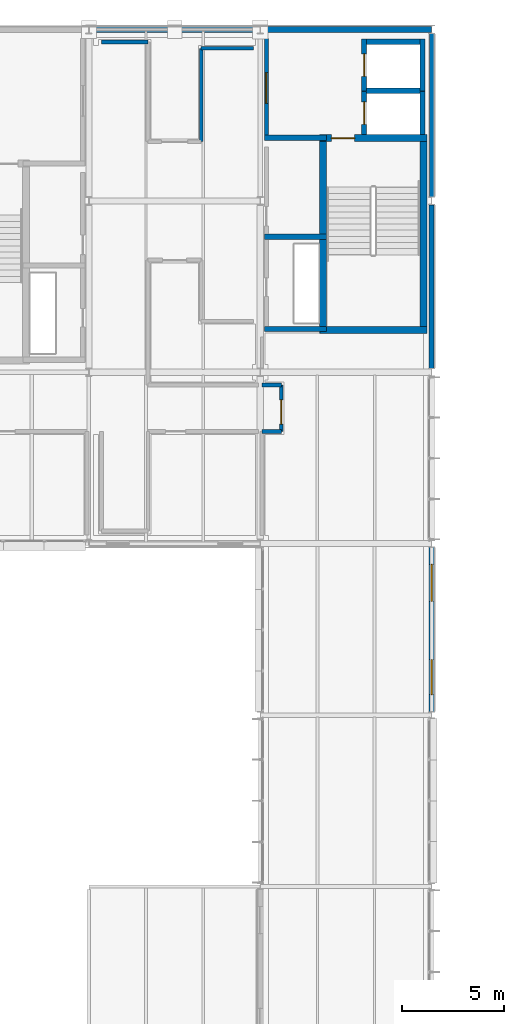
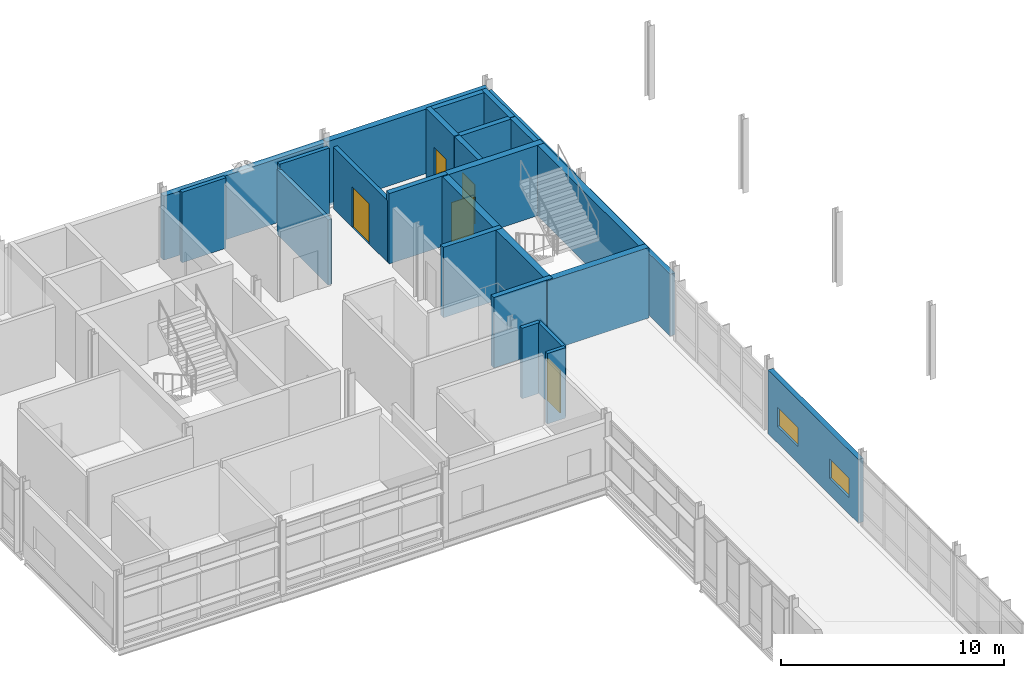
# One storey, part 56 of 66: 25 walls, 5 doors, 2 windows, 7 openings.
"""IFC4 building model written with IfcOpenShell, lengths in metres."""

from ifc_helpers import new_model, si_unit, direction, frame, frame_2d, origin, place, context, subcontext, project, spatial, rectangle, extrude, material, layer, layer_set, type_object, element, fill, save


model = new_model("IFC4")

# Units and contexts
model_context = context("Model", 3, precision=1e-05, world=origin(), true_north=direction((0.0, 1.0)))
body_context = subcontext(model_context, "Body", "Model", "MODEL_VIEW")
ifc_project = project(units=[si_unit("LENGTHUNIT", "METRE"), si_unit("AREAUNIT", "SQUARE_METRE"), si_unit("VOLUMEUNIT", "CUBIC_METRE"), si_unit("PLANEANGLEUNIT", "RADIAN"), si_unit("MASSUNIT", "GRAM", prefix="KILO")], contexts=[model_context])

# Site, building, storey
site_placement = place(None, origin())
site = spatial("IfcSite", under=ifc_project, at=site_placement, CompositionType="ELEMENT")
building_placement = place(site_placement, origin())
building = spatial("IfcBuilding", under=site, at=building_placement, Name="Mersafa Astral City Hall", CompositionType="ELEMENT")
storey_placement = place(building_placement, frame((0.0, 0.0, 22.050048828125)))
storey = spatial("IfcBuildingStorey", under=building, at=storey_placement, Name="L05", CompositionType="ELEMENT", Elevation=22.050048828125)

# Walls
ifc_material_1 = material(Name="Precast concrete C40/50 insulated terracotta spandrel", Category="masonry")
ifc_layer_1 = layer(ifc_material_1, 0.235107421875, Name="Precast concrete C40/50 insulated terracotta spandrel")
ifc_layer_set_1 = layer_set([ifc_layer_1], Name="Precast concrete C40/50 insulated terracotta spandrel — ENV-WAL-EXT-235")
wall_type_1 = type_object("IfcWallType", Name="ENV-WAL-EXT-235", PredefinedType="STANDARD", material=ifc_layer_set_1)
wall_1_placement = place(storey_placement, frame((176.39990234375, 117.7958984375, 0.0), z_axis=(0.0, 0.0, 1.0), x_axis=(0.0, 1.0, 0.0)))
element("IfcWall", 1, at=wall_1_placement, inside=storey, type_object=wall_type_1, Name="L05 Limestone-clad exterior wall 341", PredefinedType="STANDARD", context=body_context, shape_type="SweptSolid", body=[
    extrude(rectangle(XDim=8.008056640625, YDim=0.235107421875, at=frame_2d((4.00390625, 0.0))), origin(), (0.0, 0.0, 1.0), 3.45703125),
])
ifc_layer_2 = layer(ifc_material_1, 0.25, Name="Precast concrete C40/50 insulated terracotta spandrel")
ifc_layer_set_2 = layer_set([ifc_layer_2], Name="Precast concrete C40/50 insulated terracotta spandrel — ENV-WAL-EXT-250")
wall_type_2 = type_object("IfcWallType", Name="ENV-WAL-EXT-250", PredefinedType="STANDARD", material=ifc_layer_set_2)
wall_2_placement = place(storey_placement, frame((176.39990234375, 109.39599609375, 0.0), z_axis=(0.0, 0.0, 1.0), x_axis=(0.0, 1.0, 0.0)))
element("IfcWall", 2, at=wall_2_placement, inside=storey, type_object=wall_type_2, Name="L05 Limestone-clad exterior wall 340", PredefinedType="STANDARD", context=body_context, shape_type="SweptSolid", body=[
    extrude(rectangle(XDim=8.008056640625, YDim=0.25, at=frame_2d((4.00390625, 0.0))), origin(), (0.0, 0.0, 1.0), 3.366943359375),
])

# Wall, openings, windows
ifc_material_2 = material(Name="Precast concrete C40/50 insulated limestone wall", Category="masonry")
ifc_layer_3 = layer(ifc_material_2, 0.264892578125, Name="Precast concrete C40/50 insulated limestone wall")
ifc_layer_set_3 = layer_set([ifc_layer_3], Name="Precast concrete C40/50 insulated limestone wall — ENV-WAL-EXT-265")
wall_type_3 = type_object("IfcWallType", Name="ENV-WAL-EXT-265", PredefinedType="STANDARD", material=ifc_layer_set_3)
wall_3_placement = place(storey_placement, frame((176.39990234375, 92.5458984375, 0.0), z_axis=(0.0, 0.0, 1.0), x_axis=(0.0, 1.0, 0.0)))
wall_3 = element("IfcWall", 3, at=wall_3_placement, inside=storey, type_object=wall_type_3, Name="L05 Limestone-clad exterior wall 339", PredefinedType="STANDARD", context=body_context, shape_type="SweptSolid", body=[
    extrude(rectangle(XDim=8.088134765625, YDim=0.264892578125, at=frame_2d((4.0439453125, 0.0))), origin(), (0.0, 0.0, 1.0), 3.471923828125),
])
opening_1_placement = place(wall_3_placement, frame((0.85009765625, 0.0, 0.89990234375)))
opening_1 = element("IfcOpeningElement", 4, at=opening_1_placement, cuts=wall_3, Name="Opening W-08", PredefinedType="OPENING", context=body_context, shape_type="SweptSolid", body=[
    extrude(rectangle(XDim=1.719970703125, YDim=1.050048828125, at=frame_2d((0.85986328125, 0.52490234375))), frame((0.0, 0.142333984375, 0.0), z_axis=(0.0, -1.0, 0.0), x_axis=(1.0, 0.0, 0.0)), (0.0, 0.0, 1.0), 0.284912109375),
])
opening_2_placement = place(wall_3_placement, frame((5.41796875, 0.0, 0.89990234375)))
opening_2 = element("IfcOpeningElement", 5, at=opening_2_placement, cuts=wall_3, Name="Opening W-09", PredefinedType="OPENING", context=body_context, shape_type="SweptSolid", body=[
    extrude(rectangle(XDim=1.820068359375, YDim=1.050048828125, at=frame_2d((0.91015625, 0.52490234375))), frame((0.0, 0.142333984375, 0.0), z_axis=(0.0, -1.0, 0.0), x_axis=(1.0, 0.0, 0.0)), (0.0, 0.0, 1.0), 0.284912109375),
])
ifc_material_3 = material(Name="Solar control low-e double glazing in bronze frame", Category="glass")
window_type_1 = type_object("IfcWindowType", Name="ENV-WIN-W-08", PartitioningType="SINGLE_PANEL", PredefinedType="WINDOW", material=ifc_material_3)
window_1_placement = place(opening_1_placement, origin())
window_1 = element("IfcWindow", 6, at=window_1_placement, inside=storey, type_object=window_type_1, Name="L05 Solar punched window 339-L", OverallHeight=1.050048828125, OverallWidth=1.719970703125, PartitioningType="SINGLE_PANEL", PredefinedType="WINDOW", context=body_context, shape_type="SweptSolid", body=[
    extrude(rectangle(XDim=1.719970703125, YDim=1.050048828125, at=frame_2d((0.85986328125, 0.52490234375))), frame((0.0, 0.030029296875, 0.0), z_axis=(0.0, -1.0, 0.0), x_axis=(1.0, 0.0, 0.0)), (0.0, 0.0, 1.0), 0.06005859375),
])
fill(opening_1, window_1)
window_type_2 = type_object("IfcWindowType", Name="ENV-WIN-W-09", PartitioningType="SINGLE_PANEL", PredefinedType="WINDOW", material=ifc_material_3)
window_2_placement = place(opening_2_placement, origin())
window_2 = element("IfcWindow", 7, at=window_2_placement, inside=storey, type_object=window_type_2, Name="L05 Solar punched window 339-R", OverallHeight=1.050048828125, OverallWidth=1.820068359375, PartitioningType="SINGLE_PANEL", PredefinedType="WINDOW", context=body_context, shape_type="SweptSolid", body=[
    extrude(rectangle(XDim=1.820068359375, YDim=1.050048828125, at=frame_2d((0.91015625, 0.52490234375))), frame((0.0, 0.030029296875, 0.0), z_axis=(0.0, -1.0, 0.0), x_axis=(1.0, 0.0, 0.0)), (0.0, 0.0, 1.0), 0.06005859375),
])
fill(opening_2, window_2)

# Walls
ifc_layer_4 = layer(ifc_material_2, 0.294921875, Name="Precast concrete C40/50 insulated limestone wall")
ifc_layer_set_4 = layer_set([ifc_layer_4], Name="Precast concrete C40/50 insulated limestone wall — ENV-WAL-EXT-295")
wall_type_4 = type_object("IfcWallType", Name="ENV-WAL-EXT-295", PredefinedType="STANDARD", material=ifc_layer_set_4)
wall_4_placement = place(storey_placement, frame((167.991943359375, 126.0, 0.0), z_axis=(0.0, 0.0, 1.0), x_axis=(-1.0, 0.0, 0.0)))
element("IfcWall", 8, at=wall_4_placement, inside=storey, type_object=wall_type_4, Name="L05 Limestone-clad exterior wall 343", PredefinedType="STANDARD", context=body_context, shape_type="SweptSolid", body=[
    extrude(rectangle(XDim=8.384033203125, YDim=0.294921875, at=frame_2d((4.19189453125, 0.0))), origin(), (0.0, 0.0, 1.0), 3.4970703125),
])
ifc_layer_5 = layer(ifc_material_2, 0.31005859375, Name="Precast concrete C40/50 insulated limestone wall")
ifc_layer_set_5 = layer_set([ifc_layer_5], Name="Precast concrete C40/50 insulated limestone wall — ENV-WAL-EXT-310")
wall_type_5 = type_object("IfcWallType", Name="ENV-WAL-EXT-310", PredefinedType="STANDARD", material=ifc_layer_set_5)
wall_5_placement = place(storey_placement, frame((176.39208984375, 126.0, 0.0), z_axis=(0.0, 0.0, 1.0), x_axis=(-1.0, 0.0, 0.0)))
element("IfcWall", 9, at=wall_5_placement, inside=storey, type_object=wall_type_5, Name="L05 Limestone-clad exterior wall 342", PredefinedType="STANDARD", context=body_context, shape_type="SweptSolid", body=[
    extrude(rectangle(XDim=8.384033203125, YDim=0.31005859375, at=frame_2d((4.19189453125, 0.0))), origin(), (0.0, 0.0, 1.0), 3.52685546875),
])
ifc_material_4 = material(Name="Concrete C40/50", Category="concrete")
ifc_layer_6 = layer(ifc_material_4, 0.260009765625, Name="Concrete C40/50")
ifc_layer_set_6 = layer_set([ifc_layer_6], Name="Concrete C40/50 — INT-WAL-CORE-260")
wall_type_6 = type_object("IfcWallType", Name="INT-WAL-CORE-260", PredefinedType="SHEAR", material=ifc_layer_set_6)
wall_6_placement = place(storey_placement, frame((172.955078125, 122.9951171875, 0.0), z_axis=(0.0, 0.0, 1.0), x_axis=(1.0, 0.0, 0.0)))
element("IfcWall", 10, at=wall_6_placement, inside=storey, type_object=wall_type_6, Name="L05 Lift LF2 north shaft wall", PredefinedType="SHEAR", context=body_context, shape_type="SweptSolid", body=[
    extrude(rectangle(XDim=3.1298828125, YDim=0.260009765625, at=frame_2d((1.56494140625, 0.0))), origin(), (0.0, 0.0, 1.0), 3.849853515625),
])
wall_7_placement = place(storey_placement, frame((175.955078125, 120.846923828125, 0.0), z_axis=(0.0, 0.0, 1.0), x_axis=(0.0, 1.0, 0.0)))
element("IfcWall", 11, at=wall_7_placement, inside=storey, type_object=wall_type_6, Name="L05 Lift LF2 back shaft wall", PredefinedType="SHEAR", context=body_context, shape_type="SweptSolid", body=[
    extrude(rectangle(XDim=2.108154296875, YDim=0.260009765625, at=frame_2d((1.05419921875, 0.0))), origin(), (0.0, 0.0, 1.0), 3.849853515625),
])

# Wall, opening, door
wall_8_placement = place(storey_placement, frame((173.0849609375, 120.846923828125, 0.0), z_axis=(0.0, 0.0, 1.0), x_axis=(0.0, 1.0, 0.0)))
wall_8 = element("IfcWall", 12, at=wall_8_placement, inside=storey, type_object=wall_type_6, Name="L05 Lift LF2 front shaft wall", PredefinedType="SHEAR", context=body_context, shape_type="SweptSolid", body=[
    extrude(rectangle(XDim=2.108154296875, YDim=0.260009765625, at=frame_2d((1.05419921875, 0.0))), origin(), (0.0, 0.0, 1.0), 3.849853515625),
])
opening_3_placement = place(wall_8_placement, frame((0.50390625, 0.0, 0.0)))
opening_3 = element("IfcOpeningElement", 13, at=opening_3_placement, cuts=wall_8, Name="Opening LD-1", PredefinedType="OPENING", context=body_context, shape_type="SweptSolid", body=[
    extrude(rectangle(XDim=1.10009765625, YDim=2.14990234375, at=frame_2d((0.550048828125, 1.074951171875))), frame((0.0, 0.139892578125, 0.0), z_axis=(0.0, -1.0, 0.0), x_axis=(1.0, 0.0, 0.0)), (0.0, 0.0, 1.0), 0.280029296875),
])
ifc_material_5 = material(Name="Stainless steel sliding lift landing door", Category="steel")
door_type_1 = type_object("IfcDoorType", Name="INT-DR-LIFT-LD1", OperationType="NOTDEFINED", PredefinedType="DOOR", material=ifc_material_5)
door_1_placement = place(opening_3_placement, origin())
door_1 = element("IfcDoor", 14, at=door_1_placement, inside=storey, type_object=door_type_1, Name="Elevator LF2 Sliding Landing Door L05", OperationType="DOUBLE_DOOR_SLIDING", OverallHeight=2.14990234375, OverallWidth=1.10009765625, PredefinedType="DOOR", context=body_context, shape_type="SweptSolid", body=[
    extrude(rectangle(XDim=1.10009765625, YDim=2.14990234375, at=frame_2d((0.550048828125, 1.074951171875))), frame((0.0, 0.02490234375, 0.0), z_axis=(0.0, -1.0, 0.0), x_axis=(1.0, 0.0, 0.0)), (0.0, 0.0, 1.0), 0.050048828125),
])
fill(opening_3, door_1)

# Walls
wall_9_placement = place(storey_placement, frame((172.955078125, 125.39501953125, 0.0), z_axis=(0.0, 0.0, 1.0), x_axis=(1.0, 0.0, 0.0)))
element("IfcWall", 15, at=wall_9_placement, inside=storey, type_object=wall_type_6, Name="L05 Lift LF4 north shaft wall", PredefinedType="SHEAR", context=body_context, shape_type="SweptSolid", body=[
    extrude(rectangle(XDim=3.1298828125, YDim=0.260009765625, at=frame_2d((1.56494140625, 0.0))), origin(), (0.0, 0.0, 1.0), 3.849853515625),
])
wall_10_placement = place(storey_placement, frame((175.955078125, 122.985107421875, 0.0), z_axis=(0.0, 0.0, 1.0), x_axis=(0.0, 1.0, 0.0)))
element("IfcWall", 16, at=wall_10_placement, inside=storey, type_object=wall_type_6, Name="L05 Lift LF4 back shaft wall", PredefinedType="SHEAR", context=body_context, shape_type="SweptSolid", body=[
    extrude(rectangle(XDim=2.539794921875, YDim=0.260009765625, at=frame_2d((1.27001953125, 0.0))), origin(), (0.0, 0.0, 1.0), 3.849853515625),
])

# Wall, opening, door
wall_11_placement = place(storey_placement, frame((173.0849609375, 122.985107421875, 0.0), z_axis=(0.0, 0.0, 1.0), x_axis=(0.0, 1.0, 0.0)))
wall_11 = element("IfcWall", 17, at=wall_11_placement, inside=storey, type_object=wall_type_6, Name="L05 Lift LF4 front shaft wall", PredefinedType="SHEAR", context=body_context, shape_type="SweptSolid", body=[
    extrude(rectangle(XDim=2.539794921875, YDim=0.260009765625, at=frame_2d((1.27001953125, 0.0))), origin(), (0.0, 0.0, 1.0), 3.849853515625),
])
opening_4_placement = place(wall_11_placement, frame((0.719970703125, 0.0, 0.0)))
opening_4 = element("IfcOpeningElement", 18, at=opening_4_placement, cuts=wall_11, Name="Opening LD-1", PredefinedType="OPENING", context=body_context, shape_type="SweptSolid", body=[
    extrude(rectangle(XDim=1.10009765625, YDim=2.14990234375, at=frame_2d((0.550048828125, 1.074951171875))), frame((0.0, 0.139892578125, 0.0), z_axis=(0.0, -1.0, 0.0), x_axis=(1.0, 0.0, 0.0)), (0.0, 0.0, 1.0), 0.280029296875),
])
door_2_placement = place(opening_4_placement, origin())
door_2 = element("IfcDoor", 19, at=door_2_placement, inside=storey, type_object=door_type_1, Name="Elevator LF4 Sliding Landing Door L05", OperationType="DOUBLE_DOOR_SLIDING", OverallHeight=2.14990234375, OverallWidth=1.10009765625, PredefinedType="DOOR", context=body_context, shape_type="SweptSolid", body=[
    extrude(rectangle(XDim=1.10009765625, YDim=2.14990234375, at=frame_2d((0.550048828125, 1.074951171875))), frame((0.0, 0.02490234375, 0.0), z_axis=(0.0, -1.0, 0.0), x_axis=(1.0, 0.0, 0.0)), (0.0, 0.0, 1.0), 0.050048828125),
])
fill(opening_4, door_2)

# Walls
for number, where, z_axis, x_axis, name in (
    (20, (168.199951171875, 111.320068359375, 0.0), (0.0, 0.0, 1.0), (1.0, 0.0, 0.0), "L05 Core K2 riser south wall"),
    (21, (168.199951171875, 115.8349609375, 0.0), (0.0, 0.0, 1.0), (1.0, 0.0, 0.0), "L05 Core K2 riser-restroom divider wall"),
    (22, (168.199951171875, 120.68994140625, 0.0), (0.0, 0.0, 1.0), (1.0, 0.0, 0.0), "L05 Core K2 restroom-lobby divider wall"),
):
    element("IfcWall", number, at=place(storey_placement, frame(where, z_axis=z_axis, x_axis=x_axis)), inside=storey, type_object=wall_type_6, Name=name, PredefinedType="SHEAR", context=body_context, shape_type="SweptSolid", body=[
        extrude(rectangle(XDim=3.03515625, YDim=0.260009765625, at=frame_2d((1.517578125, 0.0))), origin(), (0.0, 0.0, 1.0), 3.849853515625),
    ])
ifc_layer_7 = layer(ifc_material_4, 0.340087890625, Name="Concrete C40/50")
ifc_layer_set_7 = layer_set([ifc_layer_7], Name="Concrete C40/50 — INT-WAL-CORE-340")
wall_type_7 = type_object("IfcWallType", Name="INT-WAL-CORE-340", PredefinedType="SHEAR", material=ifc_layer_set_7)
for number, where, z_axis, x_axis, name in (
    (23, (171.0849609375, 111.10498046875, 0.0), (0.0, 0.0, 1.0), (0.0, 1.0, 0.0), "L05 Core K2 stair west shear wall"),
    (24, (175.9951171875, 111.10498046875, 0.0), (0.0, 0.0, 1.0), (0.0, 1.0, 0.0), "L05 Core K2 stair east shear wall"),
):
    element("IfcWall", number, at=place(storey_placement, frame(where, z_axis=z_axis, x_axis=x_axis)), inside=storey, type_object=wall_type_7, Name=name, PredefinedType="SHEAR", context=body_context, shape_type="SweptSolid", body=[
        extrude(rectangle(XDim=9.739990234375, YDim=0.340087890625, at=frame_2d((4.8701171875, 0.0))), origin(), (0.0, 0.0, 1.0), 3.849853515625),
    ])
wall_12_placement = place(storey_placement, frame((170.9150390625, 111.27490234375, 0.0), z_axis=(0.0, 0.0, 1.0), x_axis=(1.0, 0.0, 0.0)))
element("IfcWall", 25, at=wall_12_placement, inside=storey, type_object=wall_type_7, Name="L05 Core K2 stair south shear wall", PredefinedType="SHEAR", context=body_context, shape_type="SweptSolid", body=[
    extrude(rectangle(XDim=5.25, YDim=0.340087890625, at=frame_2d((2.625, 0.0))), origin(), (0.0, 0.0, 1.0), 3.849853515625),
])

# Wall, opening, door
wall_13_placement = place(storey_placement, frame((170.9150390625, 120.675048828125, 0.0), z_axis=(0.0, 0.0, 1.0), x_axis=(1.0, 0.0, 0.0)))
wall_13 = element("IfcWall", 26, at=wall_13_placement, inside=storey, type_object=wall_type_7, Name="L05 Core K2 stair-lobby fire wall", PredefinedType="SHEAR", context=body_context, shape_type="SweptSolid", body=[
    extrude(rectangle(XDim=5.25, YDim=0.340087890625, at=frame_2d((2.625, 0.0))), origin(), (0.0, 0.0, 1.0), 3.849853515625),
])
opening_5_placement = place(wall_13_placement, frame((0.56494140625, 0.0, 0.0)))
opening_5 = element("IfcOpeningElement", 27, at=opening_5_placement, cuts=wall_13, Name="Opening CD-1", PredefinedType="OPENING", context=body_context, shape_type="SweptSolid", body=[
    extrude(rectangle(XDim=1.14990234375, YDim=2.14990234375, at=frame_2d((0.574951171875, 1.074951171875))), frame((0.0, 0.179931640625, 0.0), z_axis=(0.0, -1.0, 0.0), x_axis=(1.0, 0.0, 0.0)), (0.0, 0.0, 1.0), 0.360107421875),
])
ifc_material_6 = material(Name="Fire-rated steel stair door", Category="steel")
door_type_2 = type_object("IfcDoorType", Name="INT-DR-STAIR-FD90-1150", OperationType="NOTDEFINED", PredefinedType="DOOR", material=ifc_material_6)
door_3_placement = place(opening_5_placement, origin())
door_3 = element("IfcDoor", 28, at=door_3_placement, inside=storey, type_object=door_type_2, Name="L05 Protected Stair ST2 Door", OperationType="SINGLE_SWING_LEFT", OverallHeight=2.14990234375, OverallWidth=1.14990234375, PredefinedType="DOOR", context=body_context, shape_type="SweptSolid", body=[
    extrude(rectangle(XDim=1.14990234375, YDim=2.14990234375, at=frame_2d((0.574951171875, 1.074951171875))), frame((0.0, 0.02490234375, 0.0), z_axis=(0.0, -1.0, 0.0), x_axis=(1.0, 0.0, 0.0)), (0.0, 0.0, 1.0), 0.050048828125),
])
fill(opening_5, door_3)

ifc_material_7 = material(Name="Fire-rated gypsum stud partition", Category="gypsum")
ifc_layer_8 = layer(ifc_material_7, 0.1650390625, Name="Fire-rated gypsum stud partition")
ifc_layer_set_8 = layer_set([ifc_layer_8], Name="Fire-rated gypsum stud partition — INT-WAL-PART-EI60-165")
wall_type_8 = type_object("IfcWallType", Name="INT-WAL-PART-EI60-165", PredefinedType="STANDARD", material=ifc_layer_set_8)
wall_14_placement = place(storey_placement, frame((169.030029296875, 106.300048828125, -0.004150390625), z_axis=(0.0, 0.0, 1.0), x_axis=(0.0, 1.0, 0.0)))
wall_14 = element("IfcWall", 29, at=wall_14_placement, inside=storey, type_object=wall_type_8, Name="L05 Interior partition wall 739", PredefinedType="STANDARD", context=body_context, shape_type="SweptSolid", body=[
    extrude(rectangle(XDim=2.280029296875, YDim=0.1650390625, at=frame_2d((1.14013671875, 0.0))), origin(), (0.0, 0.0, 1.0), 3.85400390625),
])
opening_6_placement = place(wall_14_placement, frame((0.360107421875, 0.0, 0.0)))
opening_6 = element("IfcOpeningElement", 30, at=opening_6_placement, cuts=wall_14, Name="Opening D-32", PredefinedType="OPENING", context=body_context, shape_type="SweptSolid", body=[
    extrude(rectangle(XDim=1.179931640625, YDim=2.300048828125, at=frame_2d((0.58984375, 1.14990234375))), frame((0.0, 0.092529296875, 0.0), z_axis=(0.0, -1.0, 0.0), x_axis=(1.0, 0.0, 0.0)), (0.0, 0.0, 1.0), 0.18505859375),
])
ifc_material_8 = material(Name="Cedar veneered acoustic fire-rated timber door", Category="wood")
door_type_3 = type_object("IfcDoorType", Name="INT-DR-RM-D-32", OperationType="NOTDEFINED", PredefinedType="DOOR", material=ifc_material_8)
door_4_placement = place(opening_6_placement, origin())
door_4 = element("IfcDoor", 31, at=door_4_placement, inside=storey, type_object=door_type_3, Name="L05 Executive Secretariat Office L05-01 Entrance Door", OperationType="SINGLE_SWING_RIGHT", OverallHeight=2.300048828125, OverallWidth=1.179931640625, PredefinedType="DOOR", context=body_context, shape_type="SweptSolid", body=[
    extrude(rectangle(XDim=1.179931640625, YDim=2.300048828125, at=frame_2d((0.58984375, 1.14990234375))), frame((0.0, 0.02490234375, 0.0), z_axis=(0.0, -1.0, 0.0), x_axis=(1.0, 0.0, 0.0)), (0.0, 0.0, 1.0), 0.050048828125),
])
fill(opening_6, door_4)

# Walls
ifc_material_9 = material(Name="Acoustic twin-stud gypsum partition", Category="gypsum")
ifc_layer_9 = layer(ifc_material_9, 0.179931640625, Name="Acoustic twin-stud gypsum partition")
ifc_layer_set_9 = layer_set([ifc_layer_9], Name="Acoustic twin-stud gypsum partition — INT-WAL-PART-EI60-180")
wall_type_9 = type_object("IfcWallType", Name="INT-WAL-PART-EI60-180", PredefinedType="STANDARD", material=ifc_layer_set_9)
wall_15_placement = place(storey_placement, frame((168.090087890625, 106.300048828125, -0.004150390625), z_axis=(0.0, 0.0, 1.0), x_axis=(1.0, 0.0, 0.0)))
element("IfcWall", 32, at=wall_15_placement, inside=storey, type_object=wall_type_9, Name="L05 Interior partition wall 738", PredefinedType="STANDARD", context=body_context, shape_type="SweptSolid", body=[
    extrude(rectangle(XDim=0.93994140625, YDim=0.179931640625, at=frame_2d((0.469970703125, 0.0))), origin(), (0.0, 0.0, 1.0), 3.85400390625),
])
wall_16_placement = place(storey_placement, frame((165.10009765625, 125.080078125, -0.004150390625), z_axis=(0.0, 0.0, 1.0), x_axis=(0.0, -1.0, 0.0)))
element("IfcWall", 33, at=wall_16_placement, inside=storey, type_object=wall_type_9, Name="L05 Interior partition wall 798", PredefinedType="STANDARD", context=body_context, shape_type="SweptSolid", body=[
    extrude(rectangle(XDim=4.580078125, YDim=0.179931640625, at=frame_2d((2.2900390625, 0.0))), origin(), (0.0, 0.0, 1.0), 3.56103515625),
])
ifc_layer_10 = layer(ifc_material_9, 0.195068359375, Name="Acoustic twin-stud gypsum partition")
ifc_layer_set_10 = layer_set([ifc_layer_10], Name="Acoustic twin-stud gypsum partition — INT-WAL-PART-EI60-195")
wall_type_10 = type_object("IfcWallType", Name="INT-WAL-PART-EI60-195", PredefinedType="STANDARD", material=ifc_layer_set_10)
wall_17_placement = place(storey_placement, frame((167.659912109375, 125.080078125, -0.004150390625), z_axis=(0.0, 0.0, 1.0), x_axis=(-1.0, 0.0, 0.0)))
element("IfcWall", 34, at=wall_17_placement, inside=storey, type_object=wall_type_10, Name="L05 Interior partition wall 797", PredefinedType="STANDARD", context=body_context, shape_type="SweptSolid", body=[
    extrude(rectangle(XDim=2.559814453125, YDim=0.195068359375, at=frame_2d((1.27978515625, 0.0))), origin(), (0.0, 0.0, 1.0), 3.85400390625),
])
wall_18_placement = place(storey_placement, frame((162.5, 125.3798828125, -0.004150390625), z_axis=(0.0, 0.0, 1.0), x_axis=(-1.0, 0.0, 0.0)))
element("IfcWall", 35, at=wall_18_placement, inside=storey, type_object=wall_type_10, Name="L05 Interior partition wall 801", PredefinedType="STANDARD", context=body_context, shape_type="SweptSolid", body=[
    extrude(rectangle(XDim=2.280029296875, YDim=0.195068359375, at=frame_2d((1.14013671875, 0.0))), origin(), (0.0, 0.0, 1.0), 3.85400390625),
])

# Wall, opening, door
ifc_material_10 = material(Name="Autoclaved aerated concrete blockwork plastered", Category="masonry")
ifc_layer_11 = layer(ifc_material_10, 0.2099609375, Name="Autoclaved aerated concrete blockwork plastered")
ifc_layer_set_11 = layer_set([ifc_layer_11], Name="Autoclaved aerated concrete blockwork plastered — INT-WAL-PART-EI60-210")
wall_type_11 = type_object("IfcWallType", Name="INT-WAL-PART-EI60-210", PredefinedType="STANDARD", material=ifc_layer_set_11)
wall_19_placement = place(storey_placement, frame((168.300048828125, 120.699951171875, 0.0), z_axis=(0.0, 0.0, 1.0), x_axis=(0.0, 1.0, 0.0)))
wall_19 = element("IfcWall", 36, at=wall_19_placement, inside=storey, type_object=wall_type_11, Name="L05 Core K2 lobby corridor partition", PredefinedType="STANDARD", context=body_context, shape_type="SweptSolid", body=[
    extrude(rectangle(XDim=4.860107421875, YDim=0.2099609375, at=frame_2d((2.43017578125, 0.0))), origin(), (0.0, 0.0, 1.0), 3.366943359375),
])
opening_7_placement = place(wall_19_placement, frame((1.679931640625, 0.0, 0.0)))
opening_7 = element("IfcOpeningElement", 37, at=opening_7_placement, cuts=wall_19, Name="Opening CD-3", PredefinedType="OPENING", context=body_context, shape_type="SweptSolid", body=[
    extrude(rectangle(XDim=1.5, YDim=2.199951171875, at=frame_2d((0.75, 1.10009765625))), frame((0.0, 0.114990234375, 0.0), z_axis=(0.0, -1.0, 0.0), x_axis=(1.0, 0.0, 0.0)), (0.0, 0.0, 1.0), 0.22998046875),
])
ifc_material_11 = material(Name="Fire-rated glazed lobby door pair", Category="metal")
door_type_4 = type_object("IfcDoorType", Name="INT-DR-LOBBY-FD90-1500", OperationType="NOTDEFINED", PredefinedType="DOOR", material=ifc_material_11)
door_5_placement = place(opening_7_placement, origin())
door_5 = element("IfcDoor", 38, at=door_5_placement, inside=storey, type_object=door_type_4, Name="L05 K2 Lift Lobby Fire Door", OperationType="DOUBLE_DOOR_SINGLE_SWING", OverallHeight=2.199951171875, OverallWidth=1.5, PredefinedType="DOOR", context=body_context, shape_type="SweptSolid", body=[
    extrude(rectangle(XDim=1.5, YDim=2.199951171875, at=frame_2d((0.75, 1.10009765625))), frame((0.0, 0.02490234375, 0.0), z_axis=(0.0, -1.0, 0.0), x_axis=(1.0, 0.0, 0.0)), (0.0, 0.0, 1.0), 0.050048828125),
])
fill(opening_7, door_5)

# Wall
wall_20_placement = place(storey_placement, frame((169.030029296875, 108.580078125, -0.004150390625), z_axis=(0.0, 0.0, 1.0), x_axis=(-1.0, 0.0, 0.0)))
element("IfcWall", 39, at=wall_20_placement, inside=storey, type_object=wall_type_11, Name="L05 Interior partition wall 740", PredefinedType="STANDARD", context=body_context, shape_type="SweptSolid", body=[
    extrude(rectangle(XDim=0.93994140625, YDim=0.2099609375, at=frame_2d((0.469970703125, 0.0))), origin(), (0.0, 0.0, 1.0), 3.85400390625),
])

save(model, "model.ifc")
